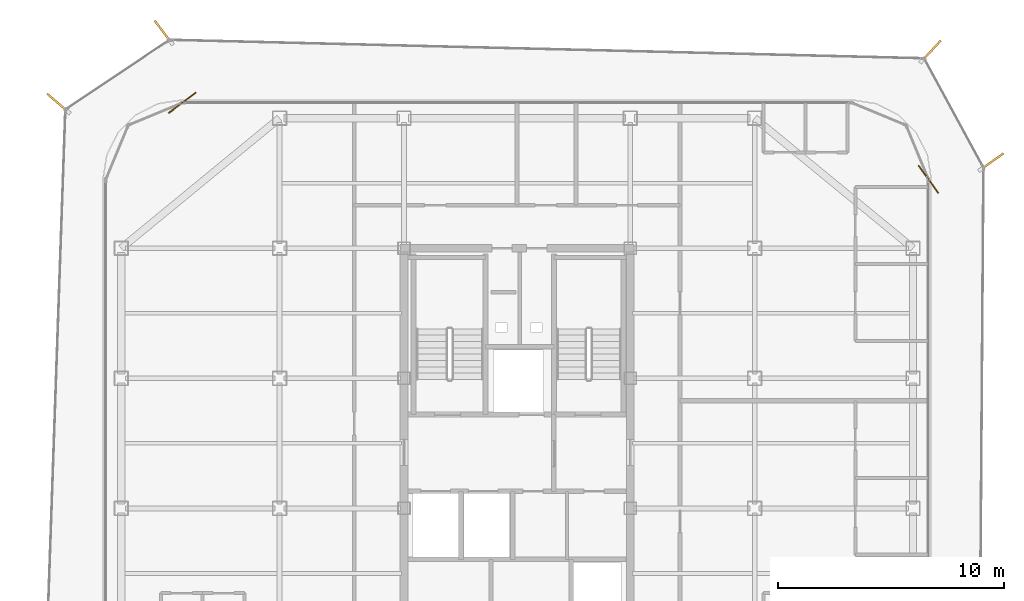
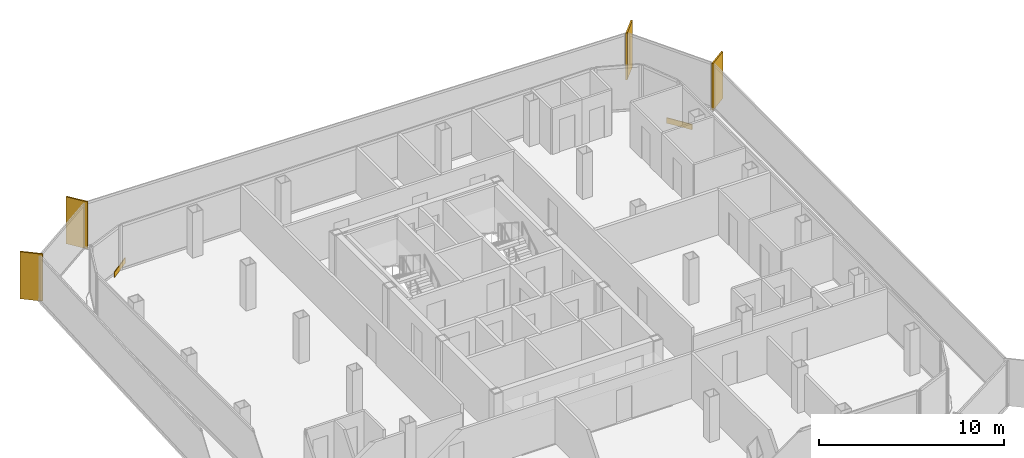
# One storey, part 15 of 15: 4 shading devices, 2 coverings.
"""IFC4 building model written with IfcOpenShell, lengths in metres."""

from ifc_helpers import new_model, si_unit, direction, frame, origin, origin_2d, place, context, subcontext, project, spatial, rectangle, extrude, source, transform, mapped, material, layer, layer_set, type_object, element, save


model = new_model("IFC4")

# Units and contexts
model_context = context("Model", 3, precision=1e-05, world=origin(), true_north=direction((0.0, 1.0)))
body_context = subcontext(model_context, "Body", "Model", "MODEL_VIEW")
ifc_project = project(units=[si_unit("LENGTHUNIT", "METRE"), si_unit("AREAUNIT", "SQUARE_METRE"), si_unit("VOLUMEUNIT", "CUBIC_METRE"), si_unit("PLANEANGLEUNIT", "RADIAN"), si_unit("MASSUNIT", "GRAM", prefix="KILO")], contexts=[model_context])

# Site, building, storey
site_placement = place(None, origin())
site = spatial("IfcSite", under=ifc_project, at=site_placement, CompositionType="ELEMENT")
building_placement = place(site_placement, origin())
building = spatial("IfcBuilding", under=site, at=building_placement, Name="Kolveth Station Tower", CompositionType="ELEMENT")
storey_placement = place(building_placement, frame((0.0, 0.0, 264.89990234375)))
storey = spatial("IfcBuildingStorey", under=building, at=storey_placement, Name="L76", CompositionType="ELEMENT", Elevation=264.89990234375)

# Shading devices
ifc_material_1 = material(Name="Black anodized aluminium 6063-T6", Category="aluminium")
shading_device_type = type_object("IfcShadingDeviceType", Name="FIN_VF1", PredefinedType="USERDEFINED", material=ifc_material_1)
shared_shape_1 = source(origin(), body_context, "Body", "SweptSolid", [
    extrude(rectangle(XDim=1.25, YDim=0.090087890625, at=origin_2d()), origin(), (0.0, 0.0, 1.0), 3.10009765625),
])
for number, where, z_axis, x_axis, name in (
    (1, (44.487060546875, 32.5791015625, 0.0), (0.0, 0.0, 1.0), (0.814824373094, 0.579707892832, 0.0), "L76 Dark-Aluminium Solar Fin 3"),
    (2, (41.802001953125, 37.468994140625, 0.0), (0.0, 0.0, 1.0), (0.678416162135, 0.734677827999, 0.0), "L76 Dark-Aluminium Solar Fin 4"),
    (3, (7.85498046875, 38.31298828125, 0.0), (0.0, 0.0, 1.0), (-0.603625519008, 0.797267980545, 0.0), "L76 Dark-Aluminium Solar Fin 5"),
    (4, (3.197021484375, 35.172119140625, 0.0), (0.0, 0.0, 1.0), (-0.757109087531, 0.653288473477, 0.0), "L76 Dark-Aluminium Solar Fin 6"),
):
    element("IfcShadingDevice", number, at=place(storey_placement, frame(where, z_axis=z_axis, x_axis=x_axis)), inside=storey, type_object=shading_device_type, Name=name, ObjectType="FIN", PredefinedType="USERDEFINED", context=body_context, shape_type="MappedRepresentation", body=[
        mapped(shared_shape_1, transform((0.0, 0.0, 0.0), x_axis=(1.0, 0.0, 0.0), y_axis=(0.0, 1.0, 0.0), z_axis=(0.0, 0.0, 1.0), scale=1.0)),
    ])

# Coverings
ifc_material_2 = material(Name="Charcoal anodized aluminium spandrel cladding", Category="aluminium")
ifc_layer = layer(ifc_material_2, 0.044921875)
ifc_layer_set = layer_set([ifc_layer], Name="Charcoal anodized aluminium spandrel cladding")
covering_type = type_object("IfcCoveringType", Name="Clad_CD1", PredefinedType="CLADDING", material=ifc_layer_set)
shared_shape_2 = source(origin(), body_context, "Body", "SweptSolid", [
    extrude(rectangle(XDim=1.5, YDim=0.044921875, at=origin_2d()), origin(), (0.0, 0.0, 1.0), 0.360107421875),
])
for number, where, z_axis, x_axis, name in (
    (5, (41.679931640625, 31.800048828125, 0.0), (0.0, 0.0, 1.0), (-0.579707892832, 0.814824373094, 0.0), "L76 Spandrel Edge Cladding 3"),
    (6, (8.699951171875, 35.179931640625, 0.0), (0.0, 0.0, 1.0), (-0.797267980545, -0.603625519008, 0.0), "L76 Spandrel Edge Cladding 5"),
):
    element("IfcCovering", number, at=place(storey_placement, frame(where, z_axis=z_axis, x_axis=x_axis)), inside=storey, type_object=covering_type, Name=name, PredefinedType="CLADDING", context=body_context, shape_type="MappedRepresentation", body=[
        mapped(shared_shape_2, transform((0.0, 0.0, 0.0), x_axis=(1.0, 0.0, 0.0), y_axis=(0.0, 1.0, 0.0), z_axis=(0.0, 0.0, 1.0), scale=1.0)),
    ])

save(model, "model.ifc")
